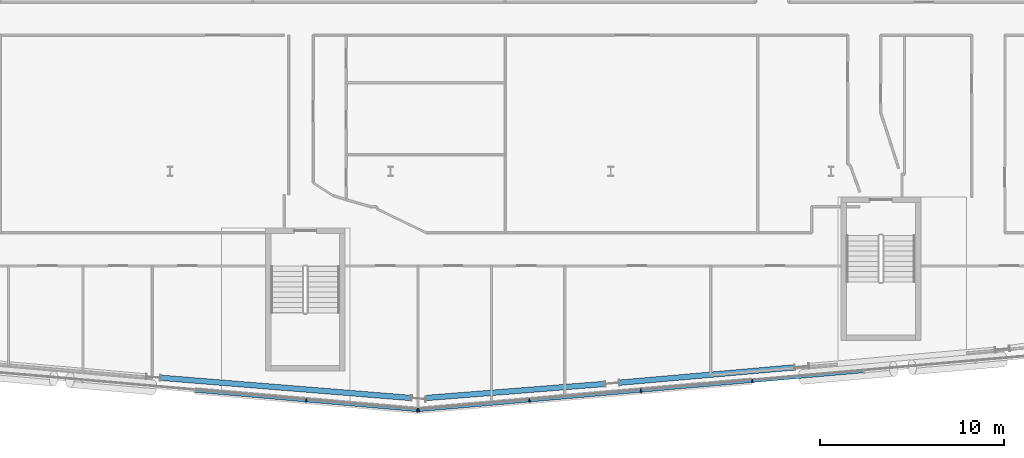
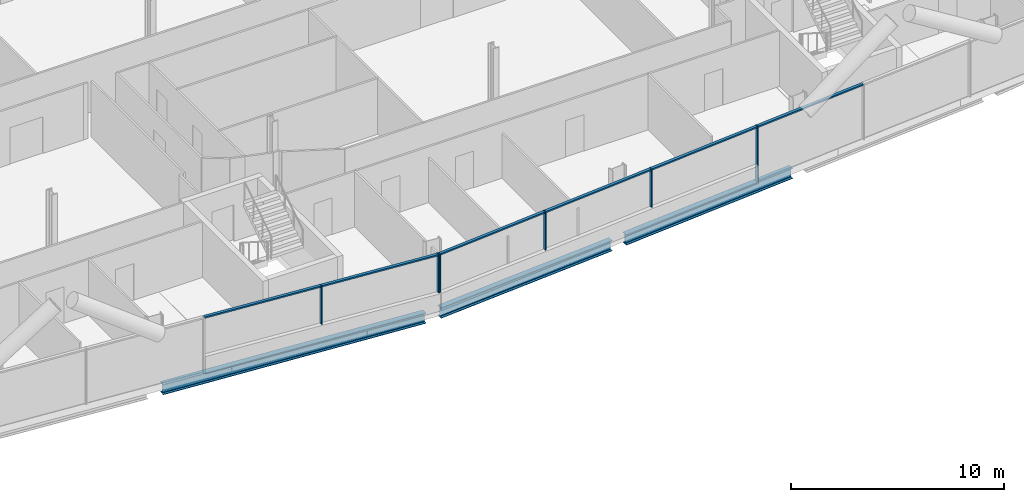
# One storey, part 7 of 27: 12 members, 3 beams, 2 elements without a shape of their own.
"""IFC4 building model written with IfcOpenShell, lengths in metres."""

from ifc_helpers import new_model, si_unit, direction, frame, origin, origin_2d, place, context, subcontext, project, spatial, rectangle, i_section, extrude, material, material_profile, profile_set, type_object, element, aggregate, save


model = new_model("IFC4")

# Units and contexts
model_context = context("Model", 3, precision=1e-05, world=origin(), true_north=direction((0.0, 1.0)))
body_context = subcontext(model_context, "Body", "Model", "MODEL_VIEW")
ifc_project = project(units=[si_unit("LENGTHUNIT", "METRE"), si_unit("AREAUNIT", "SQUARE_METRE"), si_unit("VOLUMEUNIT", "CUBIC_METRE"), si_unit("PLANEANGLEUNIT", "RADIAN"), si_unit("MASSUNIT", "GRAM", prefix="KILO")], contexts=[model_context])

# Site, building, storey
site_placement = place(None, origin())
site = spatial("IfcSite", under=ifc_project, at=site_placement, CompositionType="ELEMENT")
building_placement = place(site_placement, origin())
building = spatial("IfcBuilding", under=site, at=building_placement, Name="Wharfspan Tower", CompositionType="ELEMENT")
storey_placement = place(building_placement, frame((0.0, 0.0, 136.300049)))
storey = spatial("IfcBuildingStorey", under=building, at=storey_placement, Name="L32", CompositionType="ELEMENT", Elevation=136.300049)

# Beams
ifc_material_1 = material(Name="Steel S355J2", Category="steel")
ifc_material_profile_1 = material_profile(ifc_material_1, i_section(OverallWidth=0.300049, OverallDepth=0.600098, WebThickness=0.015381, FlangeThickness=0.030029, FilletRadius=0.0271, at=origin_2d()))
ifc_profile_set_1 = profile_set([ifc_material_profile_1], Name="Steel S355J2")
beam_type = type_object("IfcBeamType", Name="Edge beam HEB 600", PredefinedType="SPANDREL", material=ifc_profile_set_1)
beam_1_placement = place(storey_placement, frame((35.490967, 0.252197, -0.699951), z_axis=(0.996756, -0.080488, 0.0), x_axis=(0.080488, 0.996756, 0.0)))
element("IfcBeam", 1, at=beam_1_placement, inside=storey, type_object=beam_type, Name="Edge beam S1 L32 PS1.3 to PS1.4", PredefinedType="SPANDREL", context=body_context, shape_type="SweptSolid", body=[
    extrude(i_section(OverallWidth=0.300049, OverallDepth=0.600098, WebThickness=0.015381, FlangeThickness=0.030029, FilletRadius=0.0271, at=origin_2d()), origin(), (0.0, 0.0, 1.0), 13.683105),
])
beam_2_placement = place(storey_placement, frame((49.938721, -0.849365, -0.699951), z_axis=(0.996913, 0.078508, 0.0), x_axis=(-0.078508, 0.996913, 0.0)))
element("IfcBeam", 2, at=beam_2_placement, inside=storey, type_object=beam_type, Name="Edge beam S2 L32 PS1.4 to PS2.1", PredefinedType="SPANDREL", context=body_context, shape_type="SweptSolid", body=[
    extrude(i_section(OverallWidth=0.300049, OverallDepth=0.600098, WebThickness=0.015381, FlangeThickness=0.030029, FilletRadius=0.0271, at=origin_2d()), origin(), (0.0, 0.0, 1.0), 9.767578),
])
beam_3_placement = place(storey_placement, frame((60.479492, -0.015625, -0.699951), z_axis=(0.996194, 0.087164, 0.0), x_axis=(-0.087164, 0.996194, 0.0)))
element("IfcBeam", 3, at=beam_3_placement, inside=storey, type_object=beam_type, Name="Edge beam S2 L32 PS2.1 to PS2.2", PredefinedType="SPANDREL", context=body_context, shape_type="SweptSolid", body=[
    extrude(i_section(OverallWidth=0.300049, OverallDepth=0.600098, WebThickness=0.015381, FlangeThickness=0.030029, FilletRadius=0.0271, at=origin_2d()), origin(), (0.0, 0.0, 1.0), 9.55957),
])

# Curtain wall, members
ifc_material_2 = material(Name="Aluminium 6063-T6", Category="aluminium")
curtain_wall_type = type_object("IfcCurtainWallType", Name="CURTAIN WALL FACETED FRONT", PredefinedType="NOTDEFINED", material=ifc_material_2)
curtain_wall_1_placement = place(storey_placement, origin())
curtain_wall_1 = element("IfcCurtainWall", 4, at=curtain_wall_1_placement, inside=storey, type_object=curtain_wall_type, Name="Curtain wall S1", PredefinedType="NOTDEFINED")
ifc_material_profile_2 = material_profile(ifc_material_2, rectangle(XDim=0.199951, YDim=0.060059, at=origin_2d()))
ifc_profile_set_2 = profile_set([ifc_material_profile_2], Name="Aluminium 6063-T6")
member_type_1 = type_object("IfcMemberType", Name="MULLION FACETED FRONT 60x200", PredefinedType="MULLION", material=ifc_profile_set_2)
member_1_placement = place(storey_placement, frame((43.416748, -0.986084, 1.0), z_axis=(0.0, 0.0, 1.0), x_axis=(0.087156, 0.996198, 0.0)))
member_1 = element("IfcMember", 5, at=member_1_placement, type_object=member_type_1, Name="Curtain wall S1 mullion 6", PredefinedType="MULLION", context=body_context, shape_type="SweptSolid", body=[
    extrude(rectangle(XDim=0.199951, YDim=0.060059, at=origin_2d()), origin(), (0.0, 0.0, 1.0), 2.199951),
])
member_2_placement = place(storey_placement, frame((49.470215, -1.515625, 1.0), z_axis=(0.0, 0.0, 1.0), x_axis=(0.087156, 0.996198, 0.0)))
member_2 = element("IfcMember", 6, at=member_2_placement, type_object=member_type_1, Name="Curtain wall S1 mullion 7", PredefinedType="MULLION", context=body_context, shape_type="SweptSolid", body=[
    extrude(rectangle(XDim=0.199951, YDim=0.060059, at=origin_2d()), origin(), (0.0, 0.0, 1.0), 2.199951),
])

curtain_wall_2_placement = place(storey_placement, origin())
curtain_wall_2 = element("IfcCurtainWall", 7, at=curtain_wall_2_placement, inside=storey, type_object=curtain_wall_type, Name="Curtain wall S2", PredefinedType="NOTDEFINED")
member_3_placement = place(storey_placement, frame((49.529785, -1.515625, 1.0), z_axis=(0.0, 0.0, 1.0), x_axis=(-0.087156, 0.996198, 0.0)))
member_3 = element("IfcMember", 8, at=member_3_placement, type_object=member_type_1, Name="Curtain wall S2 mullion 1", PredefinedType="MULLION", context=body_context, shape_type="SweptSolid", body=[
    extrude(rectangle(XDim=0.199951, YDim=0.060059, at=origin_2d()), origin(), (0.0, 0.0, 1.0), 2.199951),
])
member_4_placement = place(storey_placement, frame((55.571533, -0.987061, 1.0), z_axis=(0.0, 0.0, 1.0), x_axis=(-0.087156, 0.996198, 0.0)))
member_4 = element("IfcMember", 9, at=member_4_placement, type_object=member_type_1, Name="Curtain wall S2 mullion 2", PredefinedType="MULLION", context=body_context, shape_type="SweptSolid", body=[
    extrude(rectangle(XDim=0.199951, YDim=0.060059, at=origin_2d()), origin(), (0.0, 0.0, 1.0), 2.199951),
])
member_5_placement = place(storey_placement, frame((61.642822, -0.455811, 1.0), z_axis=(0.0, 0.0, 1.0), x_axis=(-0.087156, 0.996198, 0.0)))
member_5 = element("IfcMember", 10, at=member_5_placement, type_object=member_type_1, Name="Curtain wall S2 mullion 3", PredefinedType="MULLION", context=body_context, shape_type="SweptSolid", body=[
    extrude(rectangle(XDim=0.199951, YDim=0.060059, at=origin_2d()), origin(), (0.0, 0.0, 1.0), 2.199951),
])
member_6_placement = place(storey_placement, frame((67.714355, 0.075195, 0.0), z_axis=(0.0, 0.0, 1.0), x_axis=(-0.087156, 0.996198, 0.0)))
member_6 = element("IfcMember", 11, at=member_6_placement, type_object=member_type_1, Name="Curtain wall S2 mullion 4", PredefinedType="MULLION", context=body_context, shape_type="SweptSolid", body=[
    extrude(rectangle(XDim=0.199951, YDim=0.060059, at=origin_2d()), origin(), (0.0, 0.0, 1.0), 3.199951),
])

# Member
ifc_material_profile_3 = material_profile(ifc_material_2, rectangle(XDim=0.159912, YDim=0.080078, at=origin_2d()))
ifc_profile_set_3 = profile_set([ifc_material_profile_3], Name="Aluminium 6063-T6")
member_type_2 = type_object("IfcMemberType", Name="TRANSOM FACETED FRONT 80x160", PredefinedType="USERDEFINED", material=ifc_profile_set_3)
member_7_placement = place(storey_placement, frame((37.363281, -0.456543, 3.159912), z_axis=(0.996197, -0.087135, 0.0), x_axis=(0.087135, 0.996197, 0.0)))
member_7 = element("IfcMember", 12, at=member_7_placement, type_object=member_type_2, Name="Curtain wall S1 transom 5", ObjectType="TRANSOM", PredefinedType="USERDEFINED", context=body_context, shape_type="SweptSolid", body=[
    extrude(rectangle(XDim=0.159912, YDim=0.080078, at=origin_2d()), origin(), (0.0, 0.0, 1.0), 6.046387),
])

member_8_placement = place(storey_placement, frame((43.446533, -0.98877, 3.159912), z_axis=(0.996198, -0.087122, 0.0), x_axis=(0.087122, 0.996198, 0.0)))
member_8 = element("IfcMember", 13, at=member_8_placement, type_object=member_type_2, Name="Curtain wall S1 transom 6", ObjectType="TRANSOM", PredefinedType="USERDEFINED", context=body_context, shape_type="SweptSolid", body=[
    extrude(rectangle(XDim=0.159912, YDim=0.080078, at=origin_2d()), origin(), (0.0, 0.0, 1.0), 6.016602),
])

aggregate(curtain_wall_1, [member_1, member_2, member_7, member_8])

member_9_placement = place(storey_placement, frame((49.559814, -1.512939, 3.159912), z_axis=(0.996197, 0.087133, 0.0), x_axis=(-0.087133, 0.996197, 0.0)))
member_9 = element("IfcMember", 14, at=member_9_placement, type_object=member_type_2, Name="Curtain wall S2 transom 1", ObjectType="TRANSOM", PredefinedType="USERDEFINED", context=body_context, shape_type="SweptSolid", body=[
    extrude(rectangle(XDim=0.159912, YDim=0.080078, at=origin_2d()), origin(), (0.0, 0.0, 1.0), 6.004639),
])

member_10_placement = place(storey_placement, frame((55.601318, -0.984375, 3.159912), z_axis=(0.996196, 0.087143, 0.0), x_axis=(-0.087143, 0.996196, 0.0)))
member_10 = element("IfcMember", 15, at=member_10_placement, type_object=member_type_2, Name="Curtain wall S2 transom 2", ObjectType="TRANSOM", PredefinedType="USERDEFINED", context=body_context, shape_type="SweptSolid", body=[
    extrude(rectangle(XDim=0.159912, YDim=0.080078, at=origin_2d()), origin(), (0.0, 0.0, 1.0), 6.034668),
])

member_11_placement = place(storey_placement, frame((61.672852, -0.453369, 3.159912), z_axis=(0.996192, 0.087187, 0.0), x_axis=(-0.087187, 0.996192, 0.0)))
member_11 = element("IfcMember", 16, at=member_11_placement, type_object=member_type_2, Name="Curtain wall S2 transom 3", ObjectType="TRANSOM", PredefinedType="USERDEFINED", context=body_context, shape_type="SweptSolid", body=[
    extrude(rectangle(XDim=0.159912, YDim=0.080078, at=origin_2d()), origin(), (0.0, 0.0, 1.0), 6.034424),
])

member_12_placement = place(storey_placement, frame((67.744141, 0.077881, 3.159912), z_axis=(0.996196, 0.087143, 0.0), x_axis=(-0.087143, 0.996196, 0.0)))
member_12 = element("IfcMember", 17, at=member_12_placement, type_object=member_type_2, Name="Curtain wall S2 transom 4", ObjectType="TRANSOM", PredefinedType="USERDEFINED", context=body_context, shape_type="SweptSolid", body=[
    extrude(rectangle(XDim=0.159912, YDim=0.080078, at=origin_2d()), origin(), (0.0, 0.0, 1.0), 6.034668),
])

aggregate(curtain_wall_2, [member_3, member_4, member_5, member_6, member_9, member_10, member_11, member_12])

save(model, "model.ifc")
